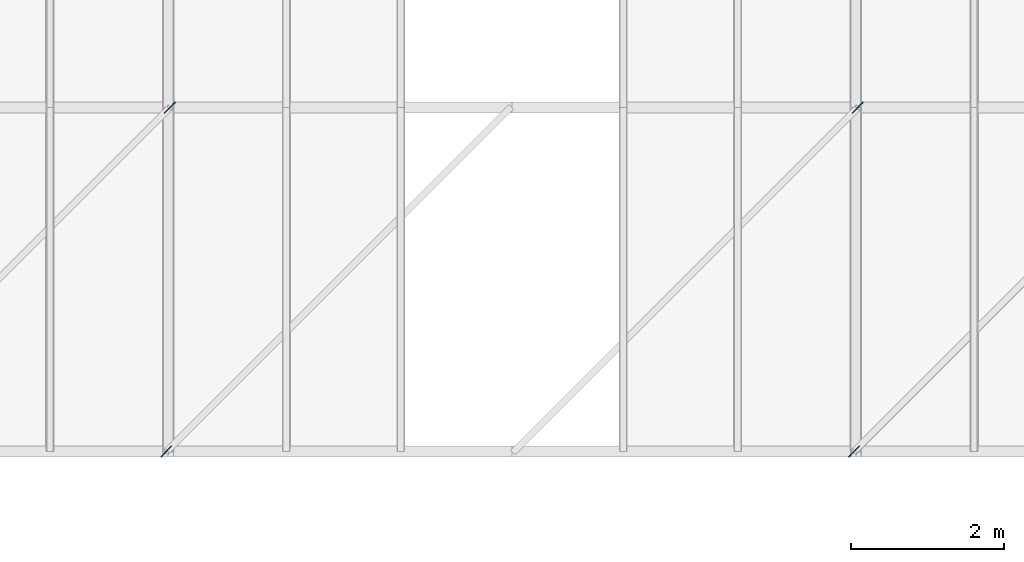
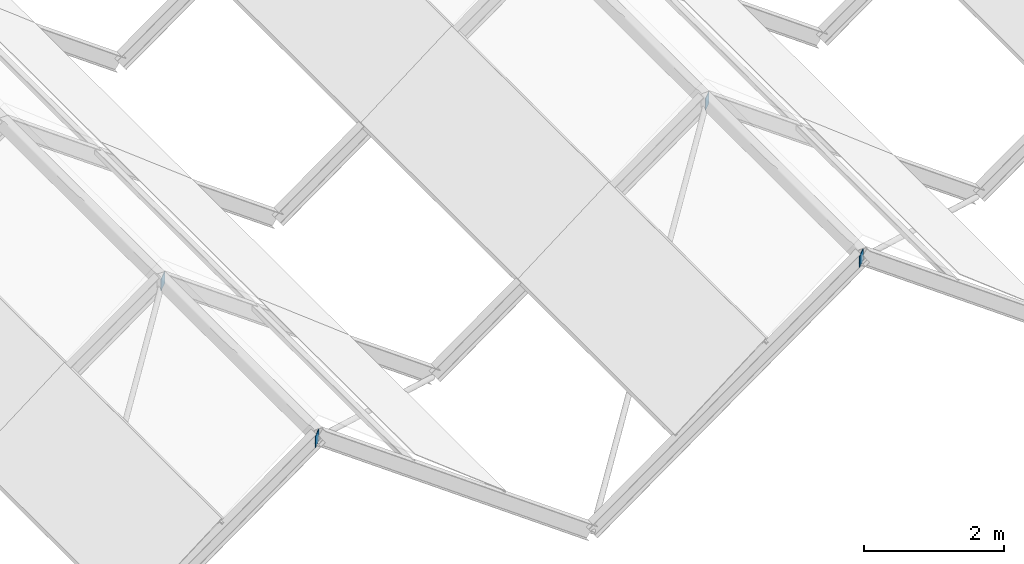
# One storey, part 53 of 74: 4 discrete accessories.
"""IFC4 building model written with IfcOpenShell, lengths in metres."""

from ifc_helpers import new_model, si_unit, direction, frame, origin, origin_2d, place, context, subcontext, project, spatial, rectangle, extrude, material, type_object, element, save


model = new_model("IFC4")

# Units and contexts
model_context = context("Model", 3, precision=1e-05, world=origin(), true_north=direction((0.0, 1.0)))
body_context = subcontext(model_context, "Body", "Model", "MODEL_VIEW")
ifc_project = project(units=[si_unit("LENGTHUNIT", "METRE"), si_unit("AREAUNIT", "SQUARE_METRE"), si_unit("VOLUMEUNIT", "CUBIC_METRE"), si_unit("PLANEANGLEUNIT", "RADIAN"), si_unit("MASSUNIT", "GRAM", prefix="KILO")], contexts=[model_context])

# Site, building, storey
site_placement = place(None, origin())
site = spatial("IfcSite", under=ifc_project, at=site_placement, CompositionType="ELEMENT")
building_placement = place(site_placement, origin())
building = spatial("IfcBuilding", under=site, at=building_placement, Name="Hortulan Conservatory and Botanical Research Centre", CompositionType="ELEMENT")
storey_placement = place(building_placement, frame((0.0, 0.0, 6.0)))
storey = spatial("IfcBuildingStorey", under=building, at=storey_placement, Name="L01", CompositionType="ELEMENT", Elevation=6.0)

# Discrete accessories
ifc_material = material(Name="Steel Grade 300 plate (AS/NZS 3678, 280 MPa minimum yield)", Category="steel")
discrete_accessory_type = type_object("IfcDiscreteAccessoryType", Name="End Plate 200x10", PredefinedType="BRACKET", material=ifc_material)
for number, where, z_axis, x_axis, name in (
    (1, (80.9765625, 0.0, 2.21240234375), (0.0, 0.0, 1.0), (0.707106781187, 0.707106781187, 0.0), "Brace end plate"),
    (2, (81.0234375, 4.5, 2.21240234375), (0.0, 0.0, 1.0), (0.707106781187, 0.707106781187, 0.0), "Brace end plate"),
    (3, (89.9765625, 0.0, 2.21240234375), (0.0, 0.0, 1.0), (0.707106781187, 0.707106781187, 0.0), "Brace end plate"),
    (4, (90.0234375, 4.5, 2.21240234375), (0.0, 0.0, 1.0), (0.707106781187, 0.707106781187, 0.0), "Brace end plate"),
):
    element("IfcDiscreteAccessory", number, at=place(storey_placement, frame(where, z_axis=z_axis, x_axis=x_axis)), inside=storey, type_object=discrete_accessory_type, Name=name, PredefinedType="BRACKET", context=body_context, shape_type="SweptSolid", body=[
        extrude(rectangle(XDim=0.199951171875, YDim=0.010009765625, at=origin_2d()), origin(), (0.0, 0.0, 1.0), 0.199951171875),
    ])

save(model, "model.ifc")
